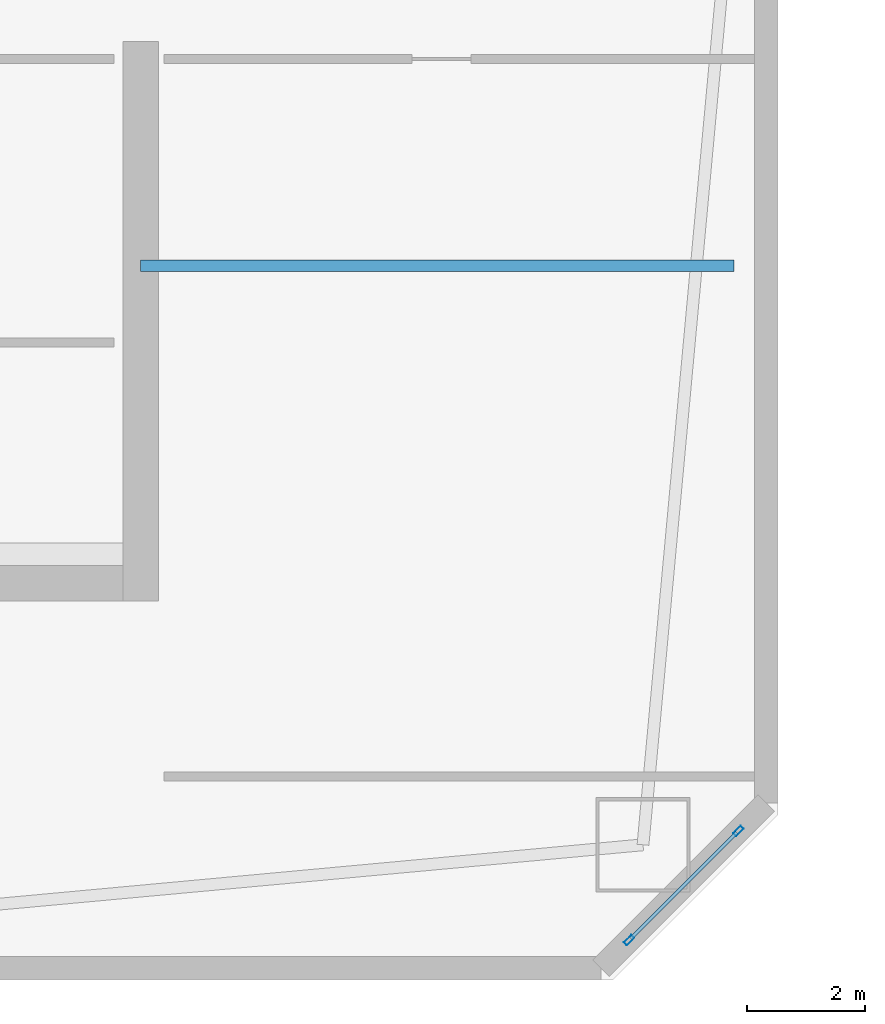
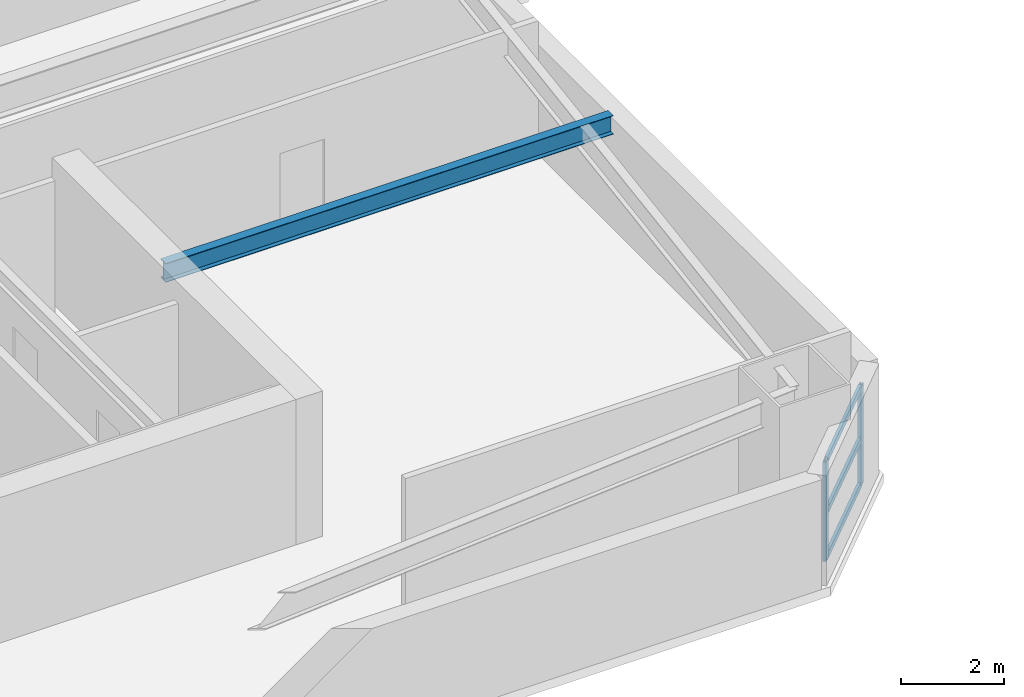
# One storey, part 4 of 22: 5 members, 1 beam, 1 element without a shape of its own.
"""IFC4 building model written with IfcOpenShell, lengths in metres."""

from ifc_helpers import new_model, si_unit, direction, frame, origin, origin_2d, place, context, subcontext, project, spatial, hollow_rectangle, i_section, extrude, material, layer, layer_set, material_profile, profile_set, type_object, element, aggregate, save


model = new_model("IFC4")

# Units and contexts
model_context = context("Model", 3, precision=1e-05, world=origin(), true_north=direction((0.0, 1.0)))
body_context = subcontext(model_context, "Body", "Model", "MODEL_VIEW")
ifc_project = project(units=[si_unit("LENGTHUNIT", "METRE"), si_unit("AREAUNIT", "SQUARE_METRE"), si_unit("VOLUMEUNIT", "CUBIC_METRE"), si_unit("PLANEANGLEUNIT", "RADIAN"), si_unit("MASSUNIT", "GRAM", prefix="KILO")], contexts=[model_context])

# Site, building, storey
site_placement = place(None, origin())
site = spatial("IfcSite", under=ifc_project, at=site_placement, CompositionType="ELEMENT")
building_placement = place(site_placement, origin())
building = spatial("IfcBuilding", under=site, at=building_placement, Name="Qiaolan Cultural Towers", CompositionType="ELEMENT")
storey_placement = place(building_placement, frame((0.0, 0.0, 146.050048828125)))
storey = spatial("IfcBuildingStorey", under=building, at=storey_placement, Name="L38", CompositionType="ELEMENT", Elevation=146.050048828125)

# Beam
ifc_material_1 = material(Name="Steel Q355B", Category="steel")
ifc_material_profile_1 = material_profile(ifc_material_1, i_section(OverallWidth=0.199951171875, OverallDepth=0.449951171875, WebThickness=0.009033203125, FlangeThickness=0.013916015625, at=origin_2d()), Name="HN450x200x9x14")
ifc_profile_set_1 = profile_set([ifc_material_profile_1], Name="Steel Q355B")
beam_type = type_object("IfcBeamType", Name="BM-LNT-HN450x200x9x14", PredefinedType="LINTEL", material=ifc_profile_set_1)
beam_placement = place(storey_placement, frame((38.199951171875, 18.10009765625, 2.96484375), z_axis=(1.0, 0.0, 0.0), x_axis=(0.0, 1.0, 0.0)))
element("IfcBeam", 1, at=beam_placement, inside=storey, type_object=beam_type, Name="L38 T1 Core Flank Tie Lintel ES", PredefinedType="LINTEL", context=body_context, shape_type="SweptSolid", body=[
    extrude(i_section(OverallWidth=0.199951171875, OverallDepth=0.449951171875, WebThickness=0.009033203125, FlangeThickness=0.013916015625, at=origin_2d()), origin(), (0.0, 0.0, 1.0), 10.050048828125),
])

# Curtain wall, members
ifc_material_2 = material(Name="Unitized Anodized Aluminium Curtain Wall System", Category="aluminium")
ifc_layer = layer(ifc_material_2, 0.199951171875)
ifc_layer_set = layer_set([ifc_layer], Name="Unitized Anodized Aluminium Curtain Wall System")
curtain_wall_type = type_object("IfcCurtainWallType", Name="CWS-03", PredefinedType="NOTDEFINED", material=ifc_layer_set)
curtain_wall_placement = place(storey_placement, origin())
curtain_wall = element("IfcCurtainWall", 2, at=curtain_wall_placement, inside=storey, type_object=curtain_wall_type, Name="L38 T1 Chamfer Wind-Corner Feature Curtain Wall 2", PredefinedType="NOTDEFINED")
ifc_material_3 = material(Name="Extruded Aluminium 6063-T6", Category="aluminium")
ifc_material_profile_2 = material_profile(ifc_material_3, hollow_rectangle(XDim=0.074951171875, YDim=0.179931640625, WallThickness=0.00390625, at=origin_2d()), Name="CWM-180x75x4")
ifc_profile_set_2 = profile_set([ifc_material_profile_2], Name="Extruded Aluminium 6063-T6")
member_type_1 = type_object("IfcMemberType", Name="CWS-03-MUL", PredefinedType="MULLION", material=ifc_profile_set_2)
member_1_placement = place(storey_placement, frame((48.325439453125, 8.525390625, 0.14990234375), z_axis=(0.0, 0.0, 1.0), x_axis=(0.707106781187, -0.707106781187, 0.0)))
member_1 = element("IfcMember", 3, at=member_1_placement, type_object=member_type_1, Name="CW-3 mullion 1", PredefinedType="MULLION", context=body_context, shape_type="SweptSolid", body=[
    extrude(hollow_rectangle(XDim=0.074951171875, YDim=0.179931640625, WallThickness=0.00390625, at=origin_2d()), origin(), (0.0, 0.0, 1.0), 2.360107421875),
])
member_2_placement = place(storey_placement, frame((46.474609375, 6.674560546875, 0.14990234375), z_axis=(0.0, 0.0, 1.0), x_axis=(0.707106781187, -0.707106781187, 0.0)))
member_2 = element("IfcMember", 4, at=member_2_placement, type_object=member_type_1, Name="CW-3 mullion 2", PredefinedType="MULLION", context=body_context, shape_type="SweptSolid", body=[
    extrude(hollow_rectangle(XDim=0.074951171875, YDim=0.179931640625, WallThickness=0.00390625, at=origin_2d()), origin(), (0.0, 0.0, 1.0), 2.360107421875),
])
ifc_material_4 = material(Name="Extruded Aluminium 6063-T6", Category="aluminium")
ifc_material_profile_3 = material_profile(ifc_material_4, hollow_rectangle(XDim=0.06494140625, YDim=0.14990234375, WallThickness=0.00390625, at=origin_2d()), Name="CWT-150x65x4")
ifc_profile_set_3 = profile_set([ifc_material_profile_3], Name="Extruded Aluminium 6063-T6")
member_type_2 = type_object("IfcMemberType", Name="CWS-03-TRN", PredefinedType="USERDEFINED", material=ifc_profile_set_3)
member_3_placement = place(storey_placement, frame((48.299072265625, 8.4990234375, 0.182373046875), z_axis=(-0.707106781187, -0.707106781187, 0.0), x_axis=(0.707106781187, -0.707106781187, 0.0)))
member_3 = element("IfcMember", 5, at=member_3_placement, type_object=member_type_2, Name="CW-3 transom 1.1", ObjectType="TRANSOM", PredefinedType="USERDEFINED", context=body_context, shape_type="SweptSolid", body=[
    extrude(hollow_rectangle(XDim=0.06494140625, YDim=0.14990234375, WallThickness=0.00390625, at=origin_2d()), origin(), (0.0, 0.0, 1.0), 2.54296875),
])
member_4_placement = place(storey_placement, frame((48.299072265625, 8.4990234375, 1.25), z_axis=(-0.707106781187, -0.707106781187, 0.0), x_axis=(0.707106781187, -0.707106781187, 0.0)))
member_4 = element("IfcMember", 6, at=member_4_placement, type_object=member_type_2, Name="CW-3 transom 1.2", ObjectType="TRANSOM", PredefinedType="USERDEFINED", context=body_context, shape_type="SweptSolid", body=[
    extrude(hollow_rectangle(XDim=0.06494140625, YDim=0.14990234375, WallThickness=0.00390625, at=origin_2d()), origin(), (0.0, 0.0, 1.0), 2.54296875),
])
member_5_placement = place(storey_placement, frame((48.299072265625, 8.4990234375, 2.4775390625), z_axis=(-0.707106781187, -0.707106781187, 0.0), x_axis=(0.707106781187, -0.707106781187, 0.0)))
member_5 = element("IfcMember", 7, at=member_5_placement, type_object=member_type_2, Name="CW-3 transom 1.3", ObjectType="TRANSOM", PredefinedType="USERDEFINED", context=body_context, shape_type="SweptSolid", body=[
    extrude(hollow_rectangle(XDim=0.06494140625, YDim=0.14990234375, WallThickness=0.00390625, at=origin_2d()), origin(), (0.0, 0.0, 1.0), 2.54296875),
])
aggregate(curtain_wall, [member_1, member_2, member_3, member_4, member_5])

save(model, "model.ifc")
